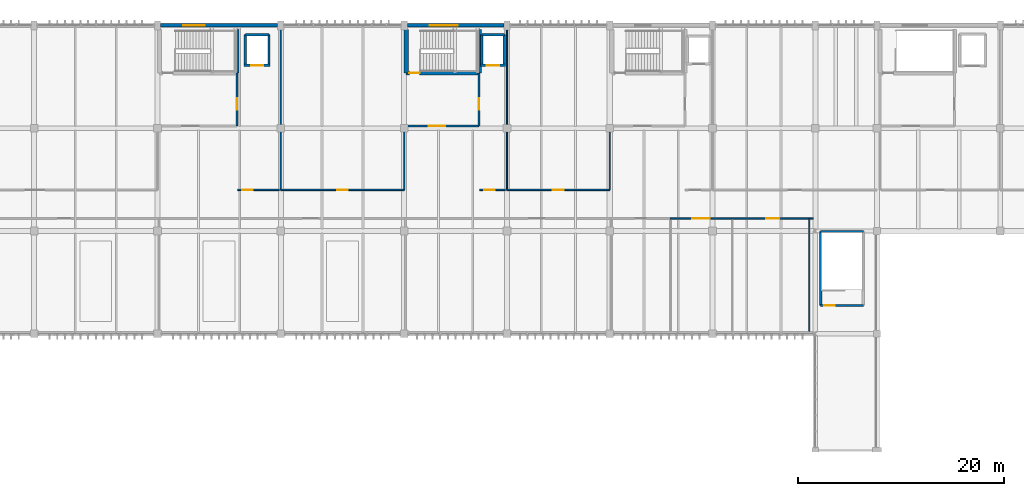
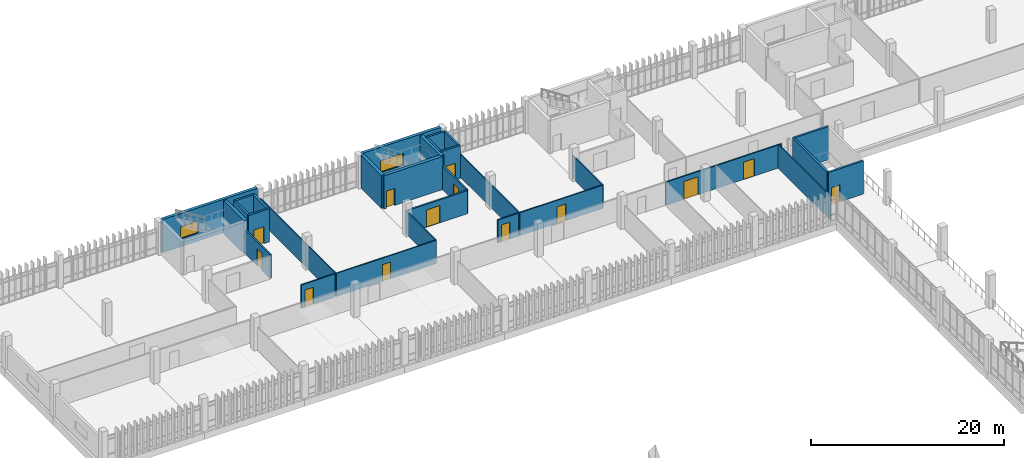
# One storey, part 148 of 161: 31 walls, 13 doors, 2 windows, 15 openings.
"""IFC4 building model written with IfcOpenShell, lengths in metres."""

from ifc_helpers import new_model, si_unit, direction, frame, frame_2d, origin, place, context, subcontext, project, spatial, rectangle, extrude, material, layer, layer_set, type_object, element, fill, save


model = new_model("IFC4")

# Units and contexts
model_context = context("Model", 3, precision=1e-05, world=origin(), true_north=direction((0.0, 1.0)))
body_context = subcontext(model_context, "Body", "Model", "MODEL_VIEW")
ifc_project = project(units=[si_unit("LENGTHUNIT", "METRE"), si_unit("AREAUNIT", "SQUARE_METRE"), si_unit("VOLUMEUNIT", "CUBIC_METRE"), si_unit("PLANEANGLEUNIT", "RADIAN"), si_unit("MASSUNIT", "GRAM", prefix="KILO")], contexts=[model_context])

# Site, building, storey
site_placement = place(None, origin())
site = spatial("IfcSite", under=ifc_project, at=site_placement, CompositionType="ELEMENT")
building_placement = place(site_placement, origin())
building = spatial("IfcBuilding", under=site, at=building_placement, Name="Mersad Railyard Sports Hall", CompositionType="ELEMENT")
storey_placement = place(building_placement, frame((0.0, 0.0, 4.800048828125)))
storey = spatial("IfcBuildingStorey", under=building, at=storey_placement, Name="L01", CompositionType="ELEMENT", Elevation=4.800048828125)

# Wall, opening, window
ifc_material_1 = material(Name="Architectural concrete C50/60", Category="concrete")
ifc_layer_1 = layer(ifc_material_1, 0.35009765625)
ifc_layer_set_1 = layer_set([ifc_layer_1], Name="Architectural concrete C50/60")
wall_type_1 = type_object("IfcWallType", Name="ARC-WL-EW02", PredefinedType="SOLIDWALL", material=ifc_layer_set_1)
wall_1_placement = place(storey_placement, frame((67.300048828125, 115.0, 0.0), z_axis=(0.0, 0.0, 1.0), x_axis=(1.0, 0.0, 0.0)))
wall_1 = element("IfcWall", 1, at=wall_1_placement, inside=storey, type_object=wall_type_1, Name="External wall EW02-0111", PredefinedType="SOLIDWALL", context=body_context, shape_type="SweptSolid", body=[
    extrude(rectangle(XDim=11.39990234375, YDim=0.35009765625, at=frame_2d((5.699951171875, 0.0))), origin(), (0.0, 0.0, 1.0), 4.199951171875),
])
opening_1_placement = place(wall_1_placement, frame((2.199951171875, 0.0, 1.0)))
opening_1 = element("IfcOpeningElement", 2, at=opening_1_placement, cuts=wall_1, Name="Opening W06", PredefinedType="OPENING", context=body_context, shape_type="SweptSolid", body=[
    extrude(rectangle(XDim=2.10009765625, YDim=1.5, at=frame_2d((1.050048828125, 0.75))), frame((0.0, 0.18505859375, 0.0), z_axis=(0.0, -1.0, 0.0), x_axis=(1.0, 0.0, 0.0)), (0.0, 0.0, 1.0), 0.3701171875),
])
ifc_material_2 = material(Name="Solar-control glass", Category="glass")
window_type_1 = type_object("IfcWindowType", Name="ARC-WN-W06", PartitioningType="DOUBLE_PANEL_VERTICAL", PredefinedType="WINDOW", material=ifc_material_2)
window_1_placement = place(opening_1_placement, origin())
window_1 = element("IfcWindow", 3, at=window_1_placement, inside=storey, type_object=window_type_1, Name="Window W06-0028", OverallHeight=1.5, OverallWidth=2.10009765625, PartitioningType="DOUBLE_PANEL_VERTICAL", PredefinedType="WINDOW", context=body_context, shape_type="SweptSolid", body=[
    extrude(rectangle(XDim=2.10009765625, YDim=1.5, at=frame_2d((1.050048828125, 0.75))), frame((0.0, 0.030029296875, 0.0), z_axis=(0.0, -1.0, 0.0), x_axis=(1.0, 0.0, 0.0)), (0.0, 0.0, 1.0), 0.06005859375),
])
fill(opening_1, window_1)

wall_2_placement = place(storey_placement, frame((91.300048828125, 115.0, 0.0), z_axis=(0.0, 0.0, 1.0), x_axis=(1.0, 0.0, 0.0)))
wall_2 = element("IfcWall", 4, at=wall_2_placement, inside=storey, type_object=wall_type_1, Name="External wall EW02-0112", PredefinedType="SOLIDWALL", context=body_context, shape_type="SweptSolid", body=[
    extrude(rectangle(XDim=9.39990234375, YDim=0.35009765625, at=frame_2d((4.699951171875, 0.0))), origin(), (0.0, 0.0, 1.0), 4.199951171875),
])
opening_2_placement = place(wall_2_placement, frame((2.199951171875, 0.0, 1.0)))
opening_2 = element("IfcOpeningElement", 5, at=opening_2_placement, cuts=wall_2, Name="Opening W08", PredefinedType="OPENING", context=body_context, shape_type="SweptSolid", body=[
    extrude(rectangle(XDim=2.699951171875, YDim=1.5, at=frame_2d((1.35009765625, 0.75))), frame((0.0, 0.18505859375, 0.0), z_axis=(0.0, -1.0, 0.0), x_axis=(1.0, 0.0, 0.0)), (0.0, 0.0, 1.0), 0.3701171875),
])
window_type_2 = type_object("IfcWindowType", Name="ARC-WN-W08", PartitioningType="DOUBLE_PANEL_VERTICAL", PredefinedType="WINDOW", material=ifc_material_2)
window_2_placement = place(opening_2_placement, origin())
window_2 = element("IfcWindow", 6, at=window_2_placement, inside=storey, type_object=window_type_2, Name="Window W08-0029", OverallHeight=1.5, OverallWidth=2.699951171875, PartitioningType="DOUBLE_PANEL_VERTICAL", PredefinedType="WINDOW", context=body_context, shape_type="SweptSolid", body=[
    extrude(rectangle(XDim=2.699951171875, YDim=1.5, at=frame_2d((1.35009765625, 0.75))), frame((0.0, 0.030029296875, 0.0), z_axis=(0.0, -1.0, 0.0), x_axis=(1.0, 0.0, 0.0)), (0.0, 0.0, 1.0), 0.06005859375),
])
fill(opening_2, window_2)

# Wall, opening, door
ifc_material_3 = material(Name="Precast concrete C45/55", Category="concrete")
ifc_layer_2 = layer(ifc_material_3, 0.199951171875)
ifc_layer_set_2 = layer_set([ifc_layer_2], Name="Precast concrete C45/55")
wall_type_2 = type_object("IfcWallType", Name="ARC-WL-PT01", PredefinedType="PARTITIONING", material=ifc_layer_set_2)
wall_3_placement = place(storey_placement, frame((74.75, 105.199951171875, 0.0), z_axis=(0.0, 0.0, 1.0), x_axis=(0.0, 1.0, 0.0)))
wall_3 = element("IfcWall", 7, at=wall_3_placement, inside=storey, type_object=wall_type_2, Name="Interior wall PT01-0167", PredefinedType="PARTITIONING", context=body_context, shape_type="SweptSolid", body=[
    extrude(rectangle(XDim=5.179931640625, YDim=0.199951171875, at=frame_2d((2.58984375, 0.0))), origin(), (0.0, 0.0, 1.0), 3.02490234375),
])
opening_3_placement = place(wall_3_placement, frame((1.60009765625, 0.0, 0.0)))
opening_3 = element("IfcOpeningElement", 8, at=opening_3_placement, cuts=wall_3, Name="Opening FD01", PredefinedType="OPENING", context=body_context, shape_type="SweptSolid", body=[
    extrude(rectangle(XDim=1.10009765625, YDim=2.14990234375, at=frame_2d((0.550048828125, 1.074951171875))), frame((0.0, 0.10986328125, 0.0), z_axis=(0.0, -1.0, 0.0), x_axis=(1.0, 0.0, 0.0)), (0.0, 0.0, 1.0), 0.219970703125),
])
ifc_material_4 = material(Name="Steel S355", Category="steel")
door_type_1 = type_object("IfcDoorType", Name="ARC-DR-FD01", OperationType="NOTDEFINED", PredefinedType="DOOR", material=ifc_material_4)
door_1_placement = place(opening_3_placement, origin())
door_1 = element("IfcDoor", 9, at=door_1_placement, inside=storey, type_object=door_type_1, Name="C1 lift-to-firefighting lobby door FD01-0051", OperationType="SINGLE_SWING_RIGHT", OverallHeight=2.14990234375, OverallWidth=1.10009765625, PredefinedType="DOOR", context=body_context, shape_type="SweptSolid", body=[
    extrude(rectangle(XDim=1.10009765625, YDim=2.14990234375, at=frame_2d((0.550048828125, 1.074951171875))), frame((0.0, 0.02490234375, 0.0), z_axis=(0.0, -1.0, 0.0), x_axis=(1.0, 0.0, 0.0)), (0.0, 0.0, 1.0), 0.050048828125),
])
fill(opening_3, door_1)

wall_4_placement = place(storey_placement, frame((91.199951171875, 105.199951171875, 0.0), z_axis=(0.0, 0.0, 1.0), x_axis=(1.0, 0.0, 0.0)))
wall_4 = element("IfcWall", 10, at=wall_4_placement, inside=storey, type_object=wall_type_2, Name="Interior wall PT01-0208", PredefinedType="PARTITIONING", context=body_context, shape_type="SweptSolid", body=[
    extrude(rectangle(XDim=7.10009765625, YDim=0.199951171875, at=frame_2d((3.550048828125, 0.0))), origin(), (0.0, 0.0, 1.0), 2.925048828125),
])
opening_4_placement = place(wall_4_placement, frame((2.199951171875, 0.0, 0.0)))
opening_4 = element("IfcOpeningElement", 11, at=opening_4_placement, cuts=wall_4, Name="Opening FD04", PredefinedType="OPENING", context=body_context, shape_type="SweptSolid", body=[
    extrude(rectangle(XDim=1.60009765625, YDim=2.199951171875, at=frame_2d((0.800048828125, 1.10009765625))), frame((0.0, 0.10986328125, 0.0), z_axis=(0.0, -1.0, 0.0), x_axis=(1.0, 0.0, 0.0)), (0.0, 0.0, 1.0), 0.219970703125),
])
door_type_2 = type_object("IfcDoorType", Name="ARC-DR-FD04", OperationType="NOTDEFINED", PredefinedType="DOOR", material=ifc_material_4)
door_2_placement = place(opening_4_placement, origin())
door_2 = element("IfcDoor", 12, at=door_2_placement, inside=storey, type_object=door_type_2, Name="C2 firefighting lobby door FD04-0078", OperationType="DOUBLE_DOOR_SINGLE_SWING", OverallHeight=2.199951171875, OverallWidth=1.60009765625, PredefinedType="DOOR", context=body_context, shape_type="SweptSolid", body=[
    extrude(rectangle(XDim=1.60009765625, YDim=2.199951171875, at=frame_2d((0.800048828125, 1.10009765625))), frame((0.0, 0.02490234375, 0.0), z_axis=(0.0, -1.0, 0.0), x_axis=(1.0, 0.0, 0.0)), (0.0, 0.0, 1.0), 0.050048828125),
])
fill(opening_4, door_2)

wall_5_placement = place(storey_placement, frame((98.300048828125, 105.199951171875, 0.0), z_axis=(0.0, 0.0, 1.0), x_axis=(0.0, 1.0, 0.0)))
wall_5 = element("IfcWall", 13, at=wall_5_placement, inside=storey, type_object=wall_type_2, Name="Interior wall PT01-0209", PredefinedType="PARTITIONING", context=body_context, shape_type="SweptSolid", body=[
    extrude(rectangle(XDim=5.179931640625, YDim=0.199951171875, at=frame_2d((2.58984375, 0.0))), origin(), (0.0, 0.0, 1.0), 3.02490234375),
])
opening_5_placement = place(wall_5_placement, frame((1.60009765625, 0.0, 0.0)))
opening_5 = element("IfcOpeningElement", 14, at=opening_5_placement, cuts=wall_5, Name="Opening FD01", PredefinedType="OPENING", context=body_context, shape_type="SweptSolid", body=[
    extrude(rectangle(XDim=1.10009765625, YDim=2.14990234375, at=frame_2d((0.550048828125, 1.074951171875))), frame((0.0, 0.10986328125, 0.0), z_axis=(0.0, -1.0, 0.0), x_axis=(1.0, 0.0, 0.0)), (0.0, 0.0, 1.0), 0.219970703125),
])
door_3_placement = place(opening_5_placement, origin())
door_3 = element("IfcDoor", 15, at=door_3_placement, inside=storey, type_object=door_type_1, Name="C2 lift-to-firefighting lobby door FD01-0079", OperationType="SINGLE_SWING_LEFT", OverallHeight=2.14990234375, OverallWidth=1.10009765625, PredefinedType="DOOR", context=body_context, shape_type="SweptSolid", body=[
    extrude(rectangle(XDim=1.10009765625, YDim=2.14990234375, at=frame_2d((0.550048828125, 1.074951171875))), frame((0.0, 0.02490234375, 0.0), z_axis=(0.0, -1.0, 0.0), x_axis=(1.0, 0.0, 0.0)), (0.0, 0.0, 1.0), 0.050048828125),
])
fill(opening_5, door_3)

ifc_material_5 = material(Name="Gypsum plasterboard", Category="gypsum")
ifc_layer_3 = layer(ifc_material_5, 0.159912109375)
ifc_layer_set_3 = layer_set([ifc_layer_3], Name="Gypsum plasterboard")
wall_type_3 = type_object("IfcWallType", Name="ARC-WL-PT02", PredefinedType="PARTITIONING", material=ifc_layer_set_3)
wall_6_placement = place(storey_placement, frame((74.800048828125, 99.0, 0.0), z_axis=(0.0, 0.0, 1.0), x_axis=(1.0, 0.0, 0.0)))
wall_6 = element("IfcWall", 16, at=wall_6_placement, inside=storey, type_object=wall_type_3, Name="Interior wall PT02-0168", PredefinedType="PARTITIONING", context=body_context, shape_type="SweptSolid", body=[
    extrude(rectangle(XDim=4.050048828125, YDim=0.159912109375, at=frame_2d((2.02490234375, 0.0))), origin(), (0.0, 0.0, 1.0), 2.925048828125),
])
opening_6_placement = place(wall_6_placement, frame((0.449951171875, 0.0, 0.0)))
opening_6 = element("IfcOpeningElement", 17, at=opening_6_placement, cuts=wall_6, Name="Opening FD02", PredefinedType="OPENING", context=body_context, shape_type="SweptSolid", body=[
    extrude(rectangle(XDim=1.0, YDim=2.14990234375, at=frame_2d((0.5, 1.074951171875))), frame((0.0, 0.08984375, 0.0), z_axis=(0.0, -1.0, 0.0), x_axis=(1.0, 0.0, 0.0)), (0.0, 0.0, 1.0), 0.179931640625),
])
door_type_3 = type_object("IfcDoorType", Name="ARC-DR-FD02", OperationType="NOTDEFINED", PredefinedType="DOOR", material=ifc_material_4)
door_4_placement = place(opening_6_placement, origin())
door_4 = element("IfcDoor", 18, at=door_4_placement, inside=storey, type_object=door_type_3, Name="C1 lift lobby corridor door FD02-0052", OperationType="SINGLE_SWING_LEFT", OverallHeight=2.14990234375, OverallWidth=1.0, PredefinedType="DOOR", context=body_context, shape_type="SweptSolid", body=[
    extrude(rectangle(XDim=1.0, YDim=2.14990234375, at=frame_2d((0.5, 1.074951171875))), frame((0.0, 0.02490234375, 0.0), z_axis=(0.0, -1.0, 0.0), x_axis=(1.0, 0.0, 0.0)), (0.0, 0.0, 1.0), 0.050048828125),
])
fill(opening_6, door_4)

wall_7_placement = place(storey_placement, frame((98.35009765625, 99.0, 0.0), z_axis=(0.0, 0.0, 1.0), x_axis=(1.0, 0.0, 0.0)))
wall_7 = element("IfcWall", 19, at=wall_7_placement, inside=storey, type_object=wall_type_3, Name="Interior wall PT02-0210", PredefinedType="PARTITIONING", context=body_context, shape_type="SweptSolid", body=[
    extrude(rectangle(XDim=2.5, YDim=0.159912109375, at=frame_2d((1.25, 0.0))), origin(), (0.0, 0.0, 1.0), 2.925048828125),
])
opening_7_placement = place(wall_7_placement, frame((0.449951171875, 0.0, 0.0)))
opening_7 = element("IfcOpeningElement", 20, at=opening_7_placement, cuts=wall_7, Name="Opening FD02", PredefinedType="OPENING", context=body_context, shape_type="SweptSolid", body=[
    extrude(rectangle(XDim=1.0, YDim=2.14990234375, at=frame_2d((0.5, 1.074951171875))), frame((0.0, 0.08984375, 0.0), z_axis=(0.0, -1.0, 0.0), x_axis=(1.0, 0.0, 0.0)), (0.0, 0.0, 1.0), 0.179931640625),
])
door_5_placement = place(opening_7_placement, origin())
door_5 = element("IfcDoor", 21, at=door_5_placement, inside=storey, type_object=door_type_3, Name="C2 lift lobby corridor door FD02-0080", OperationType="SINGLE_SWING_RIGHT", OverallHeight=2.14990234375, OverallWidth=1.0, PredefinedType="DOOR", context=body_context, shape_type="SweptSolid", body=[
    extrude(rectangle(XDim=1.0, YDim=2.14990234375, at=frame_2d((0.5, 1.074951171875))), frame((0.0, 0.02490234375, 0.0), z_axis=(0.0, -1.0, 0.0), x_axis=(1.0, 0.0, 0.0)), (0.0, 0.0, 1.0), 0.050048828125),
])
fill(opening_7, door_5)

wall_8_placement = place(storey_placement, frame((116.89990234375, 96.199951171875, 0.0), z_axis=(0.0, 0.0, 1.0), x_axis=(1.0, 0.0, 0.0)))
wall_8 = element("IfcWall", 22, at=wall_8_placement, inside=storey, type_object=wall_type_3, Name="Interior wall PT02-0438", PredefinedType="PARTITIONING", context=body_context, shape_type="SweptSolid", body=[
    extrude(rectangle(XDim=6.0, YDim=0.159912109375, at=frame_2d((3.0, 0.0))), origin(), (0.0, 0.0, 1.0), 2.925048828125),
])
opening_8_placement = place(wall_8_placement, frame((2.14990234375, 0.0, 0.0)))
opening_8 = element("IfcOpeningElement", 23, at=opening_8_placement, cuts=wall_8, Name="Opening FD11", PredefinedType="OPENING", context=body_context, shape_type="SweptSolid", body=[
    extrude(rectangle(XDim=1.699951171875, YDim=2.25, at=frame_2d((0.85009765625, 1.125))), frame((0.0, 0.08984375, 0.0), z_axis=(0.0, -1.0, 0.0), x_axis=(1.0, 0.0, 0.0)), (0.0, 0.0, 1.0), 0.179931640625),
])
door_type_4 = type_object("IfcDoorType", Name="ARC-DR-FD11", OperationType="NOTDEFINED", PredefinedType="DOOR", material=ifc_material_4)
door_6_placement = place(opening_8_placement, origin())
door_6 = element("IfcDoor", 24, at=door_6_placement, inside=storey, type_object=door_type_4, Name="L01 south room door FD11-0197", OperationType="DOUBLE_DOOR_SINGLE_SWING", OverallHeight=2.25, OverallWidth=1.699951171875, PredefinedType="DOOR", context=body_context, shape_type="SweptSolid", body=[
    extrude(rectangle(XDim=1.699951171875, YDim=2.25, at=frame_2d((0.85009765625, 1.125))), frame((0.0, 0.02490234375, 0.0), z_axis=(0.0, -1.0, 0.0), x_axis=(1.0, 0.0, 0.0)), (0.0, 0.0, 1.0), 0.050048828125),
])
fill(opening_8, door_6)

wall_9_placement = place(storey_placement, frame((122.89990234375, 96.199951171875, 0.0), z_axis=(0.0, 0.0, 1.0), x_axis=(1.0, 0.0, 0.0)))
wall_9 = element("IfcWall", 25, at=wall_9_placement, inside=storey, type_object=wall_type_3, Name="Interior wall PT02-0440", PredefinedType="PARTITIONING", context=body_context, shape_type="SweptSolid", body=[
    extrude(rectangle(XDim=7.920166015625, YDim=0.159912109375, at=frame_2d((3.9599609375, 0.0))), origin(), (0.0, 0.0, 1.0), 2.925048828125),
])
opening_9_placement = place(wall_9_placement, frame((3.31005859375, 0.0, 0.0)))
opening_9 = element("IfcOpeningElement", 26, at=opening_9_placement, cuts=wall_9, Name="Opening FD03", PredefinedType="OPENING", context=body_context, shape_type="SweptSolid", body=[
    extrude(rectangle(XDim=1.300048828125, YDim=2.199951171875, at=frame_2d((0.64990234375, 1.10009765625))), frame((0.0, 0.08984375, 0.0), z_axis=(0.0, -1.0, 0.0), x_axis=(1.0, 0.0, 0.0)), (0.0, 0.0, 1.0), 0.179931640625),
])
door_type_5 = type_object("IfcDoorType", Name="ARC-DR-FD03", OperationType="NOTDEFINED", PredefinedType="DOOR", material=ifc_material_4)
door_7_placement = place(opening_9_placement, origin())
door_7 = element("IfcDoor", 27, at=door_7_placement, inside=storey, type_object=door_type_5, Name="L01 south room door FD03-0198", OperationType="SINGLE_SWING_RIGHT", OverallHeight=2.199951171875, OverallWidth=1.300048828125, PredefinedType="DOOR", context=body_context, shape_type="SweptSolid", body=[
    extrude(rectangle(XDim=1.300048828125, YDim=2.199951171875, at=frame_2d((0.64990234375, 1.10009765625))), frame((0.0, 0.02490234375, 0.0), z_axis=(0.0, -1.0, 0.0), x_axis=(1.0, 0.0, 0.0)), (0.0, 0.0, 1.0), 0.050048828125),
])
fill(opening_9, door_7)

ifc_layer_4 = layer(ifc_material_5, 0.139892578125)
ifc_layer_set_4 = layer_set([ifc_layer_4], Name="Gypsum plasterboard")
wall_type_4 = type_object("IfcWallType", Name="ARC-WL-PT03", PredefinedType="PARTITIONING", material=ifc_layer_set_4)
wall_10_placement = place(storey_placement, frame((79.0, 99.0, 0.0), z_axis=(0.0, 0.0, 1.0), x_axis=(1.0, 0.0, 0.0)))
wall_10 = element("IfcWall", 28, at=wall_10_placement, inside=storey, type_object=wall_type_4, Name="Interior wall PT03-0445", PredefinedType="PARTITIONING", context=body_context, shape_type="SweptSolid", body=[
    extrude(rectangle(XDim=12.0, YDim=0.139892578125, at=frame_2d((6.0, 0.0))), origin(), (0.0, 0.0, 1.0), 2.925048828125),
])
opening_10_placement = place(wall_10_placement, frame((5.510009765625, 0.0, 0.0)))
opening_10 = element("IfcOpeningElement", 29, at=opening_10_placement, cuts=wall_10, Name="Opening FD06", PredefinedType="OPENING", context=body_context, shape_type="SweptSolid", body=[
    extrude(rectangle(XDim=0.97998046875, YDim=2.10009765625, at=frame_2d((0.489990234375, 1.050048828125))), frame((0.0, 0.079833984375, 0.0), z_axis=(0.0, -1.0, 0.0), x_axis=(1.0, 0.0, 0.0)), (0.0, 0.0, 1.0), 0.159912109375),
])
door_type_6 = type_object("IfcDoorType", Name="ARC-DR-FD06", OperationType="NOTDEFINED", PredefinedType="DOOR", material=ifc_material_4)
door_8_placement = place(opening_10_placement, origin())
door_8 = element("IfcDoor", 30, at=door_8_placement, inside=storey, type_object=door_type_6, Name="L01 north room door FD06-0200", OperationType="SINGLE_SWING_LEFT", OverallHeight=2.10009765625, OverallWidth=0.97998046875, PredefinedType="DOOR", context=body_context, shape_type="SweptSolid", body=[
    extrude(rectangle(XDim=0.97998046875, YDim=2.10009765625, at=frame_2d((0.489990234375, 1.050048828125))), frame((0.0, 0.02490234375, 0.0), z_axis=(0.0, -1.0, 0.0), x_axis=(1.0, 0.0, 0.0)), (0.0, 0.0, 1.0), 0.050048828125),
])
fill(opening_10, door_8)

wall_11_placement = place(storey_placement, frame((101.0, 99.0, 0.0), z_axis=(0.0, 0.0, 1.0), x_axis=(1.0, 0.0, 0.0)))
wall_11 = element("IfcWall", 31, at=wall_11_placement, inside=storey, type_object=wall_type_4, Name="Interior wall PT03-0448", PredefinedType="PARTITIONING", context=body_context, shape_type="SweptSolid", body=[
    extrude(rectangle(XDim=10.0, YDim=0.139892578125, at=frame_2d((5.0, 0.0))), origin(), (0.0, 0.0, 1.0), 2.925048828125),
])
opening_11_placement = place(wall_11_placement, frame((4.47509765625, 0.0, 0.0)))
opening_11 = element("IfcOpeningElement", 32, at=opening_11_placement, cuts=wall_11, Name="Opening FD07", PredefinedType="OPENING", context=body_context, shape_type="SweptSolid", body=[
    extrude(rectangle(XDim=1.050048828125, YDim=2.10009765625, at=frame_2d((0.52490234375, 1.050048828125))), frame((0.0, 0.079833984375, 0.0), z_axis=(0.0, -1.0, 0.0), x_axis=(1.0, 0.0, 0.0)), (0.0, 0.0, 1.0), 0.159912109375),
])
door_type_7 = type_object("IfcDoorType", Name="ARC-DR-FD07", OperationType="NOTDEFINED", PredefinedType="DOOR", material=ifc_material_4)
door_9_placement = place(opening_11_placement, origin())
door_9 = element("IfcDoor", 33, at=door_9_placement, inside=storey, type_object=door_type_7, Name="L01 north room door FD07-0201", OperationType="SINGLE_SWING_RIGHT", OverallHeight=2.10009765625, OverallWidth=1.050048828125, PredefinedType="DOOR", context=body_context, shape_type="SweptSolid", body=[
    extrude(rectangle(XDim=1.050048828125, YDim=2.10009765625, at=frame_2d((0.52490234375, 1.050048828125))), frame((0.0, 0.02490234375, 0.0), z_axis=(0.0, -1.0, 0.0), x_axis=(1.0, 0.0, 0.0)), (0.0, 0.0, 1.0), 0.050048828125),
])
fill(opening_11, door_9)

# Walls
ifc_layer_5 = layer(ifc_material_5, 0.1201171875)
ifc_layer_set_5 = layer_set([ifc_layer_5], Name="Gypsum plasterboard")
wall_type_5 = type_object("IfcWallType", Name="ARC-WL-PT04", PredefinedType="PARTITIONING", material=ifc_layer_set_5)
wall_12_placement = place(storey_placement, frame((130.39990234375, 85.219970703125, 0.0), z_axis=(0.0, 0.0, 1.0), x_axis=(0.0, 1.0, 0.0)))
element("IfcWall", 34, at=wall_12_placement, inside=storey, type_object=wall_type_5, Name="Interior wall PT04-0442", PredefinedType="PARTITIONING", context=body_context, shape_type="SweptSolid", body=[
    extrude(rectangle(XDim=10.97998046875, YDim=0.1201171875, at=frame_2d((5.489990234375, 0.0))), origin(), (0.0, 0.0, 1.0), 3.02490234375),
])
wall_13_placement = place(storey_placement, frame((79.0, 99.0, 0.0), z_axis=(0.0, 0.0, 1.0), x_axis=(0.0, 1.0, 0.0)))
element("IfcWall", 35, at=wall_13_placement, inside=storey, type_object=wall_type_5, Name="Interior wall PT04-0446", PredefinedType="PARTITIONING", context=body_context, shape_type="SweptSolid", body=[
    extrude(rectangle(XDim=15.75, YDim=0.1201171875, at=frame_2d((7.875, 0.0))), origin(), (0.0, 0.0, 1.0), 2.925048828125),
])
wall_14_placement = place(storey_placement, frame((91.0, 99.0, 0.0), z_axis=(0.0, 0.0, 1.0), x_axis=(0.0, 1.0, 0.0)))
element("IfcWall", 36, at=wall_14_placement, inside=storey, type_object=wall_type_5, Name="Interior wall PT04-0447", PredefinedType="PARTITIONING", context=body_context, shape_type="SweptSolid", body=[
    extrude(rectangle(XDim=6.199951171875, YDim=0.1201171875, at=frame_2d((3.10009765625, 0.0))), origin(), (0.0, 0.0, 1.0), 2.925048828125),
])
wall_15_placement = place(storey_placement, frame((101.0, 99.0, 0.0), z_axis=(0.0, 0.0, 1.0), x_axis=(0.0, 1.0, 0.0)))
element("IfcWall", 37, at=wall_15_placement, inside=storey, type_object=wall_type_5, Name="Interior wall PT04-0449", PredefinedType="PARTITIONING", context=body_context, shape_type="SweptSolid", body=[
    extrude(rectangle(XDim=15.75, YDim=0.1201171875, at=frame_2d((7.875, 0.0))), origin(), (0.0, 0.0, 1.0), 2.925048828125),
])
wall_16_placement = place(storey_placement, frame((111.0, 99.0, 0.0), z_axis=(0.0, 0.0, 1.0), x_axis=(0.0, 1.0, 0.0)))
element("IfcWall", 38, at=wall_16_placement, inside=storey, type_object=wall_type_5, Name="Interior wall PT04-0450", PredefinedType="PARTITIONING", context=body_context, shape_type="SweptSolid", body=[
    extrude(rectangle(XDim=6.199951171875, YDim=0.1201171875, at=frame_2d((3.10009765625, 0.0))), origin(), (0.0, 0.0, 1.0), 2.925048828125),
])
ifc_material_6 = material(Name="Concrete C50/60", Category="concrete")
ifc_layer_6 = layer(ifc_material_6, 0.39990234375)
ifc_layer_set_6 = layer_set([ifc_layer_6], Name="Concrete C50/60")
wall_type_6 = type_object("IfcWallType", Name="STR-WL-SW01", PredefinedType="SHEAR", material=ifc_layer_set_6)
wall_17_placement = place(storey_placement, frame((74.75, 110.3798828125, 0.0), z_axis=(0.0, 0.0, 1.0), x_axis=(0.0, 1.0, 0.0)))
element("IfcWall", 39, at=wall_17_placement, inside=storey, type_object=wall_type_6, Name="Interior wall SW01-0164", PredefinedType="SHEAR", context=body_context, shape_type="SweptSolid", body=[
    extrude(rectangle(XDim=4.240234375, YDim=0.39990234375, at=frame_2d((2.1201171875, 0.0))), origin(), (0.0, 0.0, 1.0), 4.199951171875),
])

# Wall, opening, door
wall_18_placement = place(storey_placement, frame((91.199951171875, 110.3798828125, 0.0), z_axis=(0.0, 0.0, 1.0), x_axis=(1.0, 0.0, 0.0)))
wall_18 = element("IfcWall", 40, at=wall_18_placement, inside=storey, type_object=wall_type_6, Name="Interior wall SW01-0205", PredefinedType="SHEAR", context=body_context, shape_type="SweptSolid", body=[
    extrude(rectangle(XDim=7.10009765625, YDim=0.39990234375, at=frame_2d((3.550048828125, 0.0))), origin(), (0.0, 0.0, 1.0), 4.199951171875),
])
opening_12_placement = place(wall_18_placement, frame((0.300048828125, 0.0, 0.0)))
opening_12 = element("IfcOpeningElement", 41, at=opening_12_placement, cuts=wall_18, Name="Opening FD02", PredefinedType="OPENING", context=body_context, shape_type="SweptSolid", body=[
    extrude(rectangle(XDim=1.0, YDim=2.14990234375, at=frame_2d((0.5, 1.074951171875))), frame((0.0, 0.2099609375, 0.0), z_axis=(0.0, -1.0, 0.0), x_axis=(1.0, 0.0, 0.0)), (0.0, 0.0, 1.0), 0.419921875),
])
door_10_placement = place(opening_12_placement, origin())
door_10 = element("IfcDoor", 42, at=door_10_placement, inside=storey, type_object=door_type_3, Name="C2 stair entrance door FD02-0077", OperationType="SINGLE_SWING_RIGHT", OverallHeight=2.14990234375, OverallWidth=1.0, PredefinedType="DOOR", context=body_context, shape_type="SweptSolid", body=[
    extrude(rectangle(XDim=1.0, YDim=2.14990234375, at=frame_2d((0.5, 1.074951171875))), frame((0.0, 0.02490234375, 0.0), z_axis=(0.0, -1.0, 0.0), x_axis=(1.0, 0.0, 0.0)), (0.0, 0.0, 1.0), 0.050048828125),
])
fill(opening_12, door_10)

# Walls
for number, where, z_axis, x_axis, name in (
    (43, (98.300048828125, 110.3798828125, 0.0), (0.0, 0.0, 1.0), (0.0, 1.0, 0.0), "Interior wall SW01-0206"),
    (44, (91.199951171875, 114.6201171875, 0.0), (0.0, 0.0, 1.0), (0.0, -1.0, 0.0), "Interior wall SW01-0207"),
):
    element("IfcWall", number, at=place(storey_placement, frame(where, z_axis=z_axis, x_axis=x_axis)), inside=storey, type_object=wall_type_6, Name=name, PredefinedType="SHEAR", context=body_context, shape_type="SweptSolid", body=[
        extrude(rectangle(XDim=4.240234375, YDim=0.39990234375, at=frame_2d((2.1201171875, 0.0))), origin(), (0.0, 0.0, 1.0), 4.199951171875),
    ])
ifc_material_7 = material(Name="Concrete C40/50", Category="concrete")
ifc_layer_7 = layer(ifc_material_7, 0.239990234375)
ifc_layer_set_7 = layer_set([ifc_layer_7], Name="Concrete C40/50")
wall_type_7 = type_object("IfcWallType", Name="STR-WL-SW03", PredefinedType="SHEAR", material=ifc_layer_set_7)
for number, where, z_axis, x_axis, name in (
    (45, (75.550048828125, 111.10009765625, 0.0), (0.0, 0.0, 1.0), (0.0, 1.0, 0.0), "Interior wall SW03-0008"),
    (46, (77.85009765625, 114.10009765625, 0.0), (0.0, 0.0, 1.0), (0.0, -1.0, 0.0), "Interior wall SW03-0009"),
):
    element("IfcWall", number, at=place(storey_placement, frame(where, z_axis=z_axis, x_axis=x_axis)), inside=storey, type_object=wall_type_7, Name=name, PredefinedType="SHEAR", context=body_context, shape_type="SweptSolid", body=[
        extrude(rectangle(XDim=3.0, YDim=0.239990234375, at=frame_2d((1.5, 0.0))), origin(), (0.0, 0.0, 1.0), 4.199951171875),
    ])
wall_19_placement = place(storey_placement, frame((75.550048828125, 114.10009765625, 0.0), z_axis=(0.0, 0.0, 1.0), x_axis=(1.0, 0.0, 0.0)))
element("IfcWall", 47, at=wall_19_placement, inside=storey, type_object=wall_type_7, Name="Interior wall SW03-0010", PredefinedType="SHEAR", context=body_context, shape_type="SweptSolid", body=[
    extrude(rectangle(XDim=2.300048828125, YDim=0.239990234375, at=frame_2d((1.14990234375, 0.0))), origin(), (0.0, 0.0, 1.0), 4.199951171875),
])

# Wall, opening, door
wall_20_placement = place(storey_placement, frame((77.969970703125, 111.10009765625, 0.0), z_axis=(0.0, 0.0, 1.0), x_axis=(-1.0, 0.0, 0.0)))
wall_20 = element("IfcWall", 48, at=wall_20_placement, inside=storey, type_object=wall_type_7, Name="Interior wall SW03-0011", PredefinedType="SHEAR", context=body_context, shape_type="SweptSolid", body=[
    extrude(rectangle(XDim=2.5400390625, YDim=0.239990234375, at=frame_2d((1.27001953125, 0.0))), origin(), (0.0, 0.0, 1.0), 4.199951171875),
])
opening_13_placement = place(wall_20_placement, frame((0.669921875, 0.0, 0.0)))
opening_13 = element("IfcOpeningElement", 49, at=opening_13_placement, cuts=wall_20, Name="Opening LD02", PredefinedType="OPENING", context=body_context, shape_type="SweptSolid", body=[
    extrude(rectangle(XDim=1.199951171875, YDim=2.14990234375, at=frame_2d((0.60009765625, 1.074951171875))), frame((0.0, 0.1298828125, 0.0), z_axis=(0.0, -1.0, 0.0), x_axis=(1.0, 0.0, 0.0)), (0.0, 0.0, 1.0), 0.260009765625),
])
door_type_8 = type_object("IfcDoorType", Name="ARC-DR-LD02", OperationType="NOTDEFINED", PredefinedType="USERDEFINED", material=ifc_material_4)
door_11_placement = place(opening_13_placement, origin())
door_11 = element("IfcDoor", 50, at=door_11_placement, inside=storey, type_object=door_type_8, Name="Lift FFL-01 landing door LD02-0003", ObjectType="LANDING DOOR", OperationType="DOUBLE_DOOR_SLIDING", OverallHeight=2.14990234375, OverallWidth=1.199951171875, PredefinedType="USERDEFINED", context=body_context, shape_type="SweptSolid", body=[
    extrude(rectangle(XDim=1.199951171875, YDim=2.14990234375, at=frame_2d((0.60009765625, 1.074951171875))), frame((0.0, 0.02490234375, 0.0), z_axis=(0.0, -1.0, 0.0), x_axis=(1.0, 0.0, 0.0)), (0.0, 0.0, 1.0), 0.050048828125),
])
fill(opening_13, door_11)

# Walls
for number, where, z_axis, x_axis, name in (
    (51, (98.550048828125, 111.10009765625, 0.0), (0.0, 0.0, 1.0), (0.0, 1.0, 0.0), "Interior wall SW03-0035"),
    (52, (100.75, 114.10009765625, 0.0), (0.0, 0.0, 1.0), (0.0, -1.0, 0.0), "Interior wall SW03-0036"),
):
    element("IfcWall", number, at=place(storey_placement, frame(where, z_axis=z_axis, x_axis=x_axis)), inside=storey, type_object=wall_type_7, Name=name, PredefinedType="SHEAR", context=body_context, shape_type="SweptSolid", body=[
        extrude(rectangle(XDim=3.0, YDim=0.239990234375, at=frame_2d((1.5, 0.0))), origin(), (0.0, 0.0, 1.0), 4.199951171875),
    ])
wall_21_placement = place(storey_placement, frame((98.550048828125, 114.10009765625, 0.0), z_axis=(0.0, 0.0, 1.0), x_axis=(1.0, 0.0, 0.0)))
element("IfcWall", 53, at=wall_21_placement, inside=storey, type_object=wall_type_7, Name="Interior wall SW03-0037", PredefinedType="SHEAR", context=body_context, shape_type="SweptSolid", body=[
    extrude(rectangle(XDim=2.199951171875, YDim=0.239990234375, at=frame_2d((1.10009765625, 0.0))), origin(), (0.0, 0.0, 1.0), 4.199951171875),
])

# Wall, opening, door
wall_22_placement = place(storey_placement, frame((100.8701171875, 111.10009765625, 0.0), z_axis=(0.0, 0.0, 1.0), x_axis=(-1.0, 0.0, 0.0)))
wall_22 = element("IfcWall", 54, at=wall_22_placement, inside=storey, type_object=wall_type_7, Name="Interior wall SW03-0038", PredefinedType="SHEAR", context=body_context, shape_type="SweptSolid", body=[
    extrude(rectangle(XDim=2.440185546875, YDim=0.239990234375, at=frame_2d((1.22021484375, 0.0))), origin(), (0.0, 0.0, 1.0), 4.199951171875),
])
opening_14_placement = place(wall_22_placement, frame((0.6201171875, 0.0, 0.0)))
opening_14 = element("IfcOpeningElement", 55, at=opening_14_placement, cuts=wall_22, Name="Opening LD02", PredefinedType="OPENING", context=body_context, shape_type="SweptSolid", body=[
    extrude(rectangle(XDim=1.199951171875, YDim=2.14990234375, at=frame_2d((0.60009765625, 1.074951171875))), frame((0.0, 0.1298828125, 0.0), z_axis=(0.0, -1.0, 0.0), x_axis=(1.0, 0.0, 0.0)), (0.0, 0.0, 1.0), 0.260009765625),
])
door_12_placement = place(opening_14_placement, origin())
door_12 = element("IfcDoor", 56, at=door_12_placement, inside=storey, type_object=door_type_8, Name="Lift FFL-02 landing door LD02-0010", ObjectType="LANDING DOOR", OperationType="DOUBLE_DOOR_SLIDING", OverallHeight=2.14990234375, OverallWidth=1.199951171875, PredefinedType="USERDEFINED", context=body_context, shape_type="SweptSolid", body=[
    extrude(rectangle(XDim=1.199951171875, YDim=2.14990234375, at=frame_2d((0.60009765625, 1.074951171875))), frame((0.0, 0.02490234375, 0.0), z_axis=(0.0, -1.0, 0.0), x_axis=(1.0, 0.0, 0.0)), (0.0, 0.0, 1.0), 0.050048828125),
])
fill(opening_14, door_12)

# Walls
wall_23_placement = place(storey_placement, frame((131.52001953125, 87.75, 0.0), z_axis=(0.0, 0.0, 1.0), x_axis=(0.0, 1.0, 0.0)))
element("IfcWall", 57, at=wall_23_placement, inside=storey, type_object=wall_type_7, Name="Interior wall SW03-0368", PredefinedType="SHEAR", context=body_context, shape_type="SweptSolid", body=[
    extrude(rectangle(XDim=7.199951171875, YDim=0.239990234375, at=frame_2d((3.60009765625, 0.0))), origin(), (0.0, 0.0, 1.0), 4.199951171875),
])
wall_24_placement = place(storey_placement, frame((131.52001953125, 94.949951171875, 0.0), z_axis=(0.0, 0.0, 1.0), x_axis=(1.0, 0.0, 0.0)))
element("IfcWall", 58, at=wall_24_placement, inside=storey, type_object=wall_type_7, Name="Interior wall SW03-0370", PredefinedType="SHEAR", context=body_context, shape_type="SweptSolid", body=[
    extrude(rectangle(XDim=4.159912109375, YDim=0.239990234375, at=frame_2d((2.080078125, 0.0))), origin(), (0.0, 0.0, 1.0), 4.199951171875),
])

# Wall, opening, door
wall_25_placement = place(storey_placement, frame((131.52001953125, 87.75, 0.0), z_axis=(0.0, 0.0, 1.0), x_axis=(1.0, 0.0, 0.0)))
wall_25 = element("IfcWall", 59, at=wall_25_placement, inside=storey, type_object=wall_type_7, Name="Interior wall SW03-0371", PredefinedType="SHEAR", context=body_context, shape_type="SweptSolid", body=[
    extrude(rectangle(XDim=4.159912109375, YDim=0.239990234375, at=frame_2d((2.080078125, 0.0))), origin(), (0.0, 0.0, 1.0), 4.199951171875),
])
opening_15_placement = place(wall_25_placement, frame((0.35009765625, 0.0, 0.0)))
opening_15 = element("IfcOpeningElement", 60, at=opening_15_placement, cuts=wall_25, Name="Opening FD02", PredefinedType="OPENING", context=body_context, shape_type="SweptSolid", body=[
    extrude(rectangle(XDim=1.0, YDim=2.14990234375, at=frame_2d((0.5, 1.074951171875))), frame((0.0, 0.1298828125, 0.0), z_axis=(0.0, -1.0, 0.0), x_axis=(1.0, 0.0, 0.0)), (0.0, 0.0, 1.0), 0.260009765625),
])
door_13_placement = place(opening_15_placement, origin())
door_13 = element("IfcDoor", 61, at=door_13_placement, inside=storey, type_object=door_type_3, Name="ST11 stair door FD02-0162", OperationType="SINGLE_SWING_LEFT", OverallHeight=2.14990234375, OverallWidth=1.0, PredefinedType="DOOR", context=body_context, shape_type="SweptSolid", body=[
    extrude(rectangle(XDim=1.0, YDim=2.14990234375, at=frame_2d((0.5, 1.074951171875))), frame((0.0, 0.02490234375, 0.0), z_axis=(0.0, -1.0, 0.0), x_axis=(1.0, 0.0, 0.0)), (0.0, 0.0, 1.0), 0.050048828125),
])
fill(opening_15, door_13)

save(model, "model.ifc")
